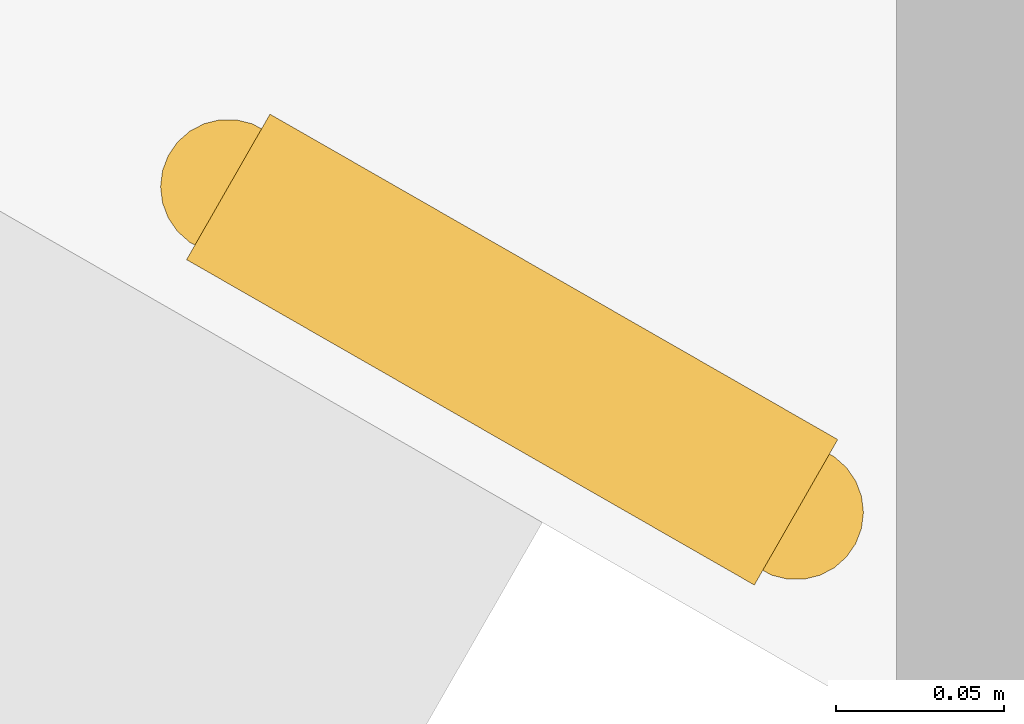
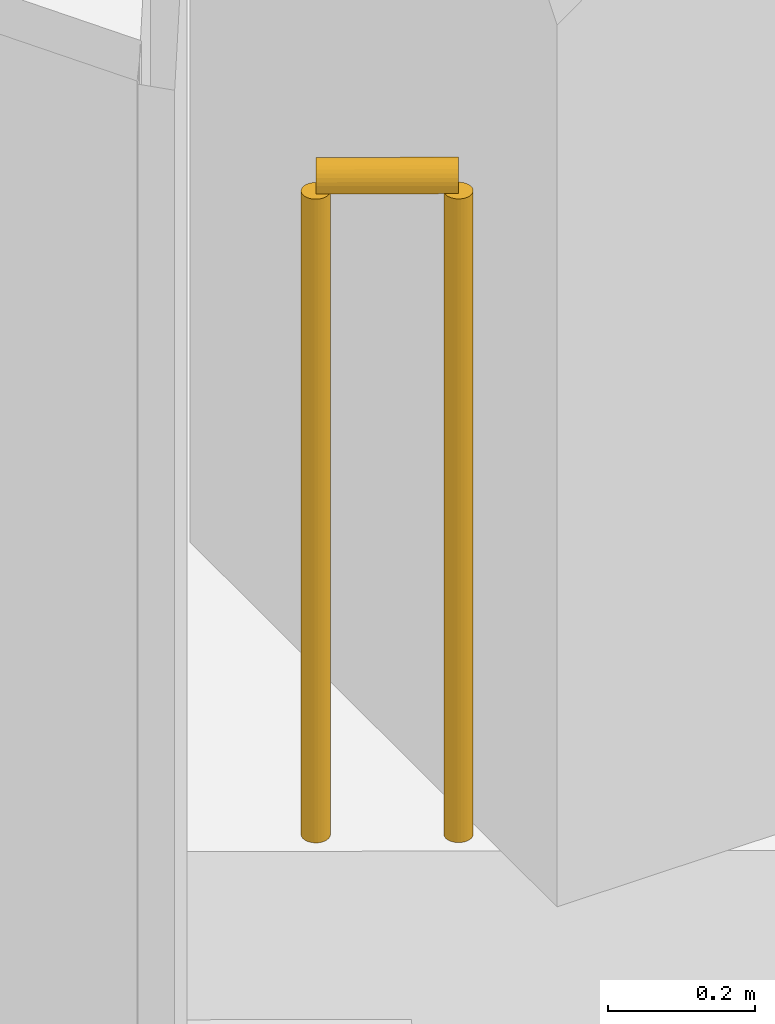
# One storey, part 32 of 35: 1 railing.
"""IFC4 building model written with IfcOpenShell, lengths in metres."""

import ifcopenshell
import ifcopenshell.guid

model = None  # the IFC model being written
_history = None  # IfcOwnerHistory: only IFC2X3 demands one
_inside = {}  # id of a spatial element -> (the spatial element, [elements in it])
_under = {}  # id of a project, library or spatial element -> (it, [spatial elements below it])
_declared = {}  # id of a project -> (the project, [libraries it declares])
_typed = {}  # id of a type object -> (the type object, [elements of that type])
_made_of = {}  # id of a material, layer set ... -> (it, [elements and type objects made of it])


def new_model(schema):
    """Start an empty IFC model of exactly this schema.

    Asked for "IFC4X3", IfcOpenShell would pick the latest addendum, in which some entities
    have other attributes; the version numbers below select the first issue.
    IFC2X3 requires an IfcOwnerHistory on every rooted entity: one is made here for all.
    """
    global model, _history
    if schema == "IFC4X3":
        model = ifcopenshell.file(schema_version=(4, 3, 0, 0))
    else:
        model = ifcopenshell.file(schema=schema)
    _inside.clear()
    _under.clear()
    _declared.clear()
    _typed.clear()
    _made_of.clear()
    _history = None
    if model.schema == "IFC2X3":
        org = make("IfcOrganization", Name="unknown")
        user = make(
            "IfcPersonAndOrganization",
            ThePerson=make("IfcPerson", FamilyName="unknown"),
            TheOrganization=org,
        )
        app = make(
            "IfcApplication",
            ApplicationDeveloper=org,
            Version="unknown",
            ApplicationFullName="unknown",
            ApplicationIdentifier="unknown",
        )
        _history = make(
            "IfcOwnerHistory",
            OwningUser=user,
            OwningApplication=app,
            ChangeAction="ADDED",
            CreationDate=0,
        )
    return model


def make(cls, **values):
    """One entity of the class cls with the attributes given. An attribute that is None is left unset."""
    return model.create_entity(
        cls, **{name: value for name, value in values.items() if value is not None}
    )


def rooted(cls, **values):
    """An entity with a GlobalId (a new one), such as an element, a storey or a relation."""
    return make(cls, GlobalId=ifcopenshell.guid.new(), OwnerHistory=_history, **values)


def si_unit(unit_type, name, prefix=None):
    """IfcSIUnit, for example si_unit("LENGTHUNIT", "METRE", prefix="MILLI")."""
    return make("IfcSIUnit", UnitType=unit_type, Prefix=prefix, Name=name)


def assignment(units):
    """IfcUnitAssignment: the units of a project."""
    return None if units is None else make("IfcUnitAssignment", Units=units)


def point(xyz):
    """IfcCartesianPoint."""
    return None if xyz is None else make("IfcCartesianPoint", Coordinates=xyz)


def direction(xyz):
    """IfcDirection."""
    return None if xyz is None else make("IfcDirection", DirectionRatios=xyz)


def frame(location, z_axis=None, x_axis=None):
    """IfcAxis2Placement3D, a coordinate frame: its origin and axes. An axis left out is left unset."""
    return make(
        "IfcAxis2Placement3D",
        Location=point(location),
        Axis=direction(z_axis),
        RefDirection=direction(x_axis),
    )


def frame_2d(location, x_axis=None):
    """IfcAxis2Placement2D, a coordinate frame in the plane: its origin and x axis."""
    return make(
        "IfcAxis2Placement2D", Location=point(location), RefDirection=direction(x_axis)
    )


def origin():
    """The frame at (0, 0, 0) with its axes left unset."""
    return frame((0.0, 0.0, 0.0))


def origin_2d():
    """The frame at (0, 0) in the plane with its x axis left unset."""
    return frame_2d((0.0, 0.0))


def place(relative_to, where):
    """IfcLocalPlacement: puts the frame where relative to a parent placement (None: the world)."""
    return make(
        "IfcLocalPlacement", PlacementRelTo=relative_to, RelativePlacement=where
    )


def context(
    kind, dimensions, precision=None, world=None, true_north=None, identifier=None
):
    """IfcGeometricRepresentationContext, for example the 3D "Model" context."""
    return make(
        "IfcGeometricRepresentationContext",
        ContextIdentifier=identifier,
        ContextType=kind,
        CoordinateSpaceDimension=dimensions,
        Precision=precision,
        WorldCoordinateSystem=world,
        TrueNorth=true_north,
    )


def subcontext(parent, identifier, kind, view, scale=None):
    """IfcGeometricRepresentationSubContext, for example "Body" below "Model"."""
    return make(
        "IfcGeometricRepresentationSubContext",
        ContextIdentifier=identifier,
        ContextType=kind,
        ParentContext=parent,
        TargetScale=scale,
        TargetView=view,
    )


def project(units=None, contexts=None):
    """IfcProject with its units and contexts."""
    return rooted(
        "IfcProject",
        Name="project",
        RepresentationContexts=contexts,
        UnitsInContext=assignment(units),
    )


def spatial(cls, under=None, at=None, **own):
    """A site, building, storey or space (cls), placed at a placement, below another one or the project."""
    s = rooted(cls, ObjectPlacement=at, **own)
    if under is not None:
        _under.setdefault(under.id(), (under, []))[1].append(s)
    return s


def profile(cls, at=None, kind="AREA", **sizes):
    """A parametric profile (cls). Its sizes go by their IFC names, for example OverallWidth=200.0."""
    return make(cls, ProfileType=kind, Position=at, **sizes)


def circle(**sizes):
    """IfcCircleProfileDef."""
    return profile("IfcCircleProfileDef", **sizes)


def extrude(swept, where, along, depth):
    """IfcExtrudedAreaSolid: the profile swept, set in the frame where, extruded along a direction by depth."""
    return make(
        "IfcExtrudedAreaSolid",
        SweptArea=swept,
        Position=where,
        ExtrudedDirection=direction(along),
        Depth=depth,
    )


def shape(context_of_items, identifier, shape_type, items):
    """IfcShapeRepresentation: the items that make up one representation, for example the "Body"."""
    return make(
        "IfcShapeRepresentation",
        ContextOfItems=context_of_items,
        RepresentationIdentifier=identifier,
        RepresentationType=shape_type,
        Items=items,
    )


def material(Name=None, Category=None):
    """IfcMaterial."""
    return make("IfcMaterial", Name=Name, Category=Category)


def made_of(thing, what):
    """Note that an element or type object is made of a material, layer set ...; save() writes the relation."""
    if what is not None:
        _made_of.setdefault(what.id(), (what, []))[1].append(thing)
    return thing


def type_object(cls, material=None, **own):
    """A type object (cls), such as IfcWallType, which elements share."""
    return made_of(rooted(cls, **own), material)


def element(
    cls,
    number,
    at=None,
    inside=None,
    cuts=None,
    type_object=None,
    material=None,
    context=None,
    identifier="Body",
    shape_type=None,
    held_by="IfcProductDefinitionShape",
    body=None,
    shapes=None,
    **own,
):
    """One element of the class cls, such as IfcWall. Its Tag is "e" and its number.

    at: its placement. inside: the storey or other place that contains it. cuts: it is an
    opening in that element (IfcRelVoidsElement). A single representation is given by context,
    identifier, shape_type and body (its items); several are given by shapes. held_by: the class
    of the entity that holds the representations. save() writes the other relations.
    """
    e = rooted(cls, Tag="e%d" % number, ObjectPlacement=at, **own)
    if body is not None:
        shapes = [shape(context, identifier, shape_type, body)]
    if shapes is not None:
        e.Representation = make(held_by, Representations=shapes)
    if inside is not None:
        _inside.setdefault(inside.id(), (inside, []))[1].append(e)
    if cuts is not None:
        rooted(
            "IfcRelVoidsElement", RelatingBuildingElement=cuts, RelatedOpeningElement=e
        )
    if type_object is not None:
        _typed.setdefault(type_object.id(), (type_object, []))[1].append(e)
    return made_of(e, material)


def aggregate(whole, parts):
    """IfcRelAggregates: a whole, such as a stair, and the parts it consists of."""
    return rooted("IfcRelAggregates", RelatingObject=whole, RelatedObjects=parts)


def save(model, path):
    """Write the relations noted so far, then the file.

    IfcRelAggregates (storeys below a building ...), IfcRelContainedInSpatialStructure (elements
    in a storey), IfcRelDefinesByType, IfcRelAssociatesMaterial and IfcRelDeclares: one each for
    every whole, place, type object, material and project.
    """
    for whole, parts in _under.values():
        aggregate(whole, parts)
    for where, things in _inside.values():
        rooted(
            "IfcRelContainedInSpatialStructure",
            RelatedElements=things,
            RelatingStructure=where,
        )
    for kind, things in _typed.values():
        rooted("IfcRelDefinesByType", RelatedObjects=things, RelatingType=kind)
    for what, things in _made_of.values():
        rooted("IfcRelAssociatesMaterial", RelatedObjects=things, RelatingMaterial=what)
    for by, libraries in _declared.values():
        rooted("IfcRelDeclares", RelatingContext=by, RelatedDefinitions=libraries)
    model.write(path)


model = new_model("IFC4")

# Units and contexts
model_context = context("Model", 3, precision=1e-05, world=origin(), true_north=direction((0.0, 1.0)))
body_context = subcontext(model_context, "Body", "Model", "MODEL_VIEW")
ifc_project = project(units=[si_unit("LENGTHUNIT", "METRE"), si_unit("AREAUNIT", "SQUARE_METRE"), si_unit("VOLUMEUNIT", "CUBIC_METRE"), si_unit("PLANEANGLEUNIT", "RADIAN"), si_unit("MASSUNIT", "GRAM", prefix="KILO")], contexts=[model_context])

# Site, building, storey
site_placement = place(None, origin())
site = spatial("IfcSite", under=ifc_project, at=site_placement, CompositionType="ELEMENT")
building_placement = place(site_placement, origin())
building = spatial("IfcBuilding", under=site, at=building_placement, Name="Orlundy Tower", CompositionType="ELEMENT")
storey_placement = place(building_placement, frame((0.0, 0.0, 116.199951171875)))
storey = spatial("IfcBuildingStorey", under=building, at=storey_placement, Name="L29", CompositionType="ELEMENT", Elevation=116.199951171875)

# Railing
ifc_material = material(Name="Stainless steel bronze finish", Category="steel")
railing_type = type_object("IfcRailingType", Name="TG1 terrace guard", PredefinedType="GUARDRAIL", material=ifc_material)
railing_placement = place(storey_placement, frame((-38.345947265625, -46.552490234375, 0.0)))
element("IfcRailing", 1, at=railing_placement, inside=storey, type_object=railing_type, Name="Guard TG-L29-E01", PredefinedType="GUARDRAIL", context=body_context, shape_type="SweptSolid", body=[
    extrude(circle(Radius=0.02490234375, at=origin_2d()), frame((0.0, 0.0, 1.09521484375), z_axis=(-0.867624323336, 0.497220306861, 0.0), x_axis=(-0.497220306861, -0.867624323336, 0.0)), (0.0, 0.0, 1.0), 0.1943359375),
    extrude(circle(Radius=0.02001953125, at=origin_2d()), origin(), (0.0, 0.0, 1.0), 1.070068359375),
    extrude(circle(Radius=0.02001953125, at=origin_2d()), frame((-0.168701171875, 0.0966796875, 0.0)), (0.0, 0.0, 1.0), 1.070068359375),
])

save(model, "model.ifc")
